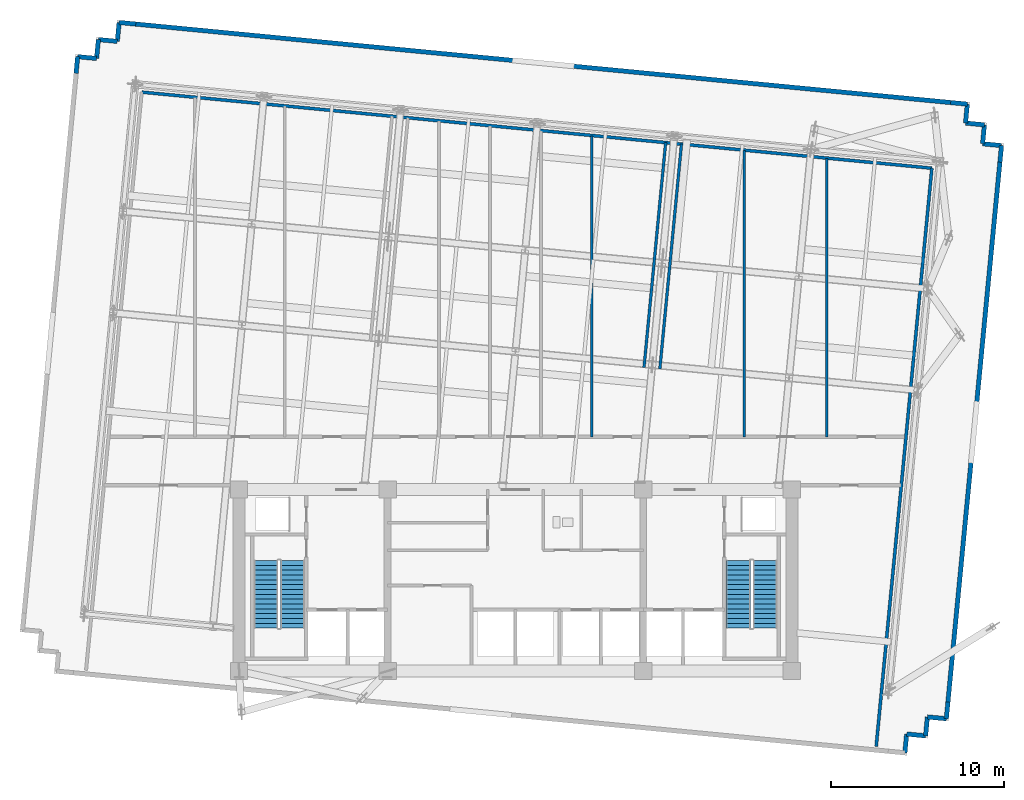
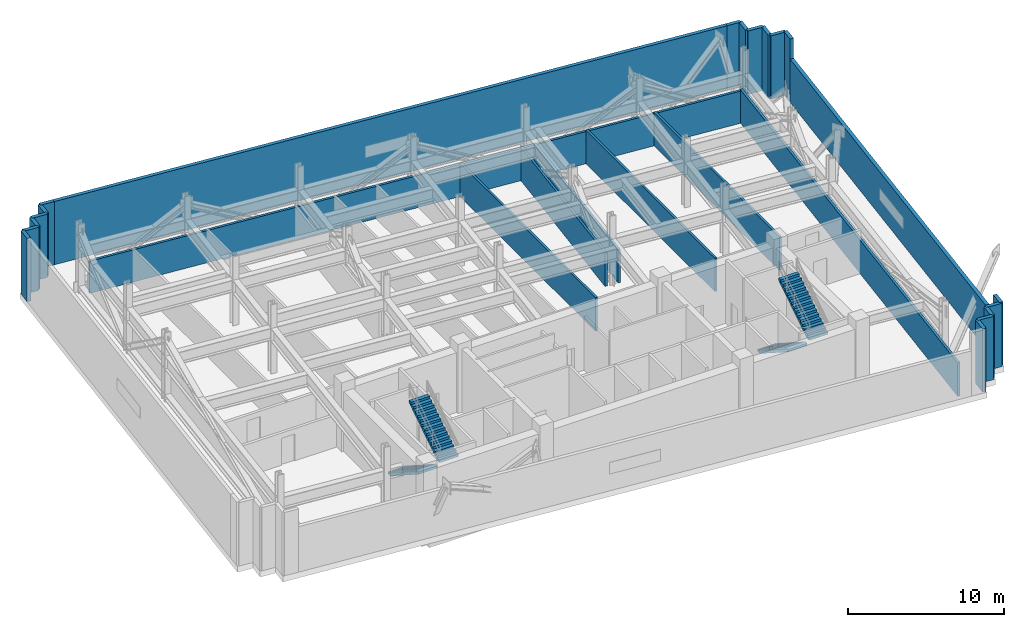
# One storey, part 7 of 10: 26 walls, 4 stair flights, 2 elements without a shape of their own.
"""IFC4 building model written with IfcOpenShell, lengths in metres."""

from ifc_helpers import new_model, si_unit, direction, frame, frame_2d, origin, place, context, subcontext, project, spatial, polyline, rectangle, outline, extrude, material, layer, layer_set, type_object, element, aggregate, save


model = new_model("IFC4")

# Units and contexts
model_context = context("Model", 3, precision=1e-05, world=origin(), true_north=direction((0.0, 1.0)))
body_context = subcontext(model_context, "Body", "Model", "MODEL_VIEW")
ifc_project = project(units=[si_unit("LENGTHUNIT", "METRE"), si_unit("AREAUNIT", "SQUARE_METRE"), si_unit("VOLUMEUNIT", "CUBIC_METRE"), si_unit("PLANEANGLEUNIT", "RADIAN"), si_unit("MASSUNIT", "GRAM", prefix="KILO")], contexts=[model_context])

# Site, building, storey
site_placement = place(None, origin())
site = spatial("IfcSite", under=ifc_project, at=site_placement, CompositionType="ELEMENT")
building_placement = place(site_placement, origin())
building = spatial("IfcBuilding", under=site, at=building_placement, Name="Solmavex Isthmus Hotel", CompositionType="ELEMENT")
storey_placement = place(building_placement, frame((0.0, 0.0, 186.300048828125)))
storey = spatial("IfcBuildingStorey", under=building, at=storey_placement, Name="L50", CompositionType="ELEMENT", Elevation=186.300048828125)

# Walls
ifc_material_1 = material(Name="Precast Concrete C40/50", Category="concrete")
ifc_layer_1 = layer(ifc_material_1, 0.260009765625)
ifc_layer_set_1 = layer_set([ifc_layer_1], Name="Precast Concrete C40/50")
wall_type_1 = type_object("IfcWallType", Name="EW-CRN-260", PredefinedType="STANDARD", material=ifc_layer_set_1)
wall_1_placement = place(storey_placement, frame((-25.44140625, 21.60302734375, 0.0), z_axis=(0.0, 0.0, 1.0), x_axis=(0.095640469916, 0.99541594347, 0.0)))
element("IfcWall", 1, at=wall_1_placement, inside=storey, type_object=wall_type_1, Name="Plant Acoustic Louvre Enclosure Wall L50-08", PredefinedType="STANDARD", context=body_context, shape_type="SweptSolid", body=[
    extrude(rectangle(XDim=0.969970703125, YDim=0.260009765625, at=frame_2d((0.48486328125, 0.0))), origin(), (0.0, 0.0, 1.0), 4.949951171875),
])
for number, where, z_axis, x_axis, name in (
    (2, (-25.3486328125, 22.568603515625, 0.0), (0.0, 0.0, 1.0), (0.995393156894, -0.095877334176, 0.0), "Plant Acoustic Louvre Enclosure Wall L50-09"),
    (3, (-24.253662109375, 22.463134765625, 0.0), (0.0, 0.0, 1.0), (0.095877334176, 0.995393156894, 0.0), "Plant Acoustic Louvre Enclosure Wall L50-10"),
    (4, (-24.148193359375, 23.55810546875, 0.0), (0.0, 0.0, 1.0), (0.995393156894, -0.095877334176, 0.0), "Plant Acoustic Louvre Enclosure Wall L50-11"),
    (5, (-23.05322265625, 23.45263671875, 0.0), (0.0, 0.0, 1.0), (0.095877334176, 0.995393156894, 0.0), "Plant Acoustic Louvre Enclosure Wall L50-12"),
):
    element("IfcWall", number, at=place(storey_placement, frame(where, z_axis=z_axis, x_axis=x_axis)), inside=storey, type_object=wall_type_1, Name=name, PredefinedType="STANDARD", context=body_context, shape_type="SweptSolid", body=[
        extrude(rectangle(XDim=1.10009765625, YDim=0.260009765625, at=frame_2d((0.550048828125, 0.0))), origin(), (0.0, 0.0, 1.0), 4.949951171875),
    ])
wall_2_placement = place(storey_placement, frame((-22.94775390625, 24.547607421875, 0.0), z_axis=(0.0, 0.0, 1.0), x_axis=(0.99539195184, -0.09588984416, 0.0)))
element("IfcWall", 6, at=wall_2_placement, inside=storey, type_object=wall_type_1, Name="Plant Acoustic Louvre Enclosure Wall L50-13", PredefinedType="STANDARD", context=body_context, shape_type="SweptSolid", body=[
    extrude(rectangle(XDim=0.969970703125, YDim=0.260009765625, at=frame_2d((0.48486328125, 0.0))), origin(), (0.0, 0.0, 1.0), 4.949951171875),
])
wall_3_placement = place(storey_placement, frame((-21.982177734375, 24.45458984375, 0.0), z_axis=(0.0, 0.0, 1.0), x_axis=(0.99539641276, -0.095843525938, 0.0)))
element("IfcWall", 7, at=wall_3_placement, inside=storey, type_object=wall_type_1, Name="Plant Acoustic Louvre Enclosure Wall L50-14", PredefinedType="STANDARD", context=body_context, shape_type="SweptSolid", body=[
    extrude(rectangle(XDim=47.39990234375, YDim=0.260009765625, at=frame_2d((23.699951171875, 0.0))), origin(), (0.0, 0.0, 1.0), 4.949951171875),
])
wall_4_placement = place(storey_placement, frame((25.199462890625, 19.91162109375, 0.0), z_axis=(0.0, 0.0, 1.0), x_axis=(0.99539195184, -0.09588984416, 0.0)))
element("IfcWall", 8, at=wall_4_placement, inside=storey, type_object=wall_type_1, Name="Plant Acoustic Louvre Enclosure Wall L50-15", PredefinedType="STANDARD", context=body_context, shape_type="SweptSolid", body=[
    extrude(rectangle(XDim=0.969970703125, YDim=0.260009765625, at=frame_2d((0.48486328125, 0.0))), origin(), (0.0, 0.0, 1.0), 4.949951171875),
])
for number, where, z_axis, x_axis, name in (
    (9, (26.1650390625, 19.818603515625, 0.0), (0.0, 0.0, 1.0), (-0.095877334176, -0.995393156894, 0.0), "Plant Acoustic Louvre Enclosure Wall L50-16"),
    (10, (26.0595703125, 18.7236328125, 0.0), (0.0, 0.0, 1.0), (0.995393156894, -0.095877334176, 0.0), "Plant Acoustic Louvre Enclosure Wall L50-17"),
    (11, (27.154541015625, 18.6181640625, 0.0), (0.0, 0.0, 1.0), (-0.095877334176, -0.995393156894, 0.0), "Plant Acoustic Louvre Enclosure Wall L50-18"),
    (12, (27.049072265625, 17.523193359375, 0.0), (0.0, 0.0, 1.0), (0.995414313875, -0.095657429048, 0.0), "Plant Acoustic Louvre Enclosure Wall L50-19"),
):
    element("IfcWall", number, at=place(storey_placement, frame(where, z_axis=z_axis, x_axis=x_axis)), inside=storey, type_object=wall_type_1, Name=name, PredefinedType="STANDARD", context=body_context, shape_type="SweptSolid", body=[
        extrude(rectangle(XDim=1.10009765625, YDim=0.260009765625, at=frame_2d((0.550048828125, 0.0))), origin(), (0.0, 0.0, 1.0), 4.949951171875),
    ])
wall_5_placement = place(storey_placement, frame((28.14404296875, 17.41796875, 0.0), z_axis=(0.0, 0.0, 1.0), x_axis=(-0.09588984416, -0.99539195184, 0.0)))
element("IfcWall", 13, at=wall_5_placement, inside=storey, type_object=wall_type_1, Name="Plant Acoustic Louvre Enclosure Wall L50-20", PredefinedType="STANDARD", context=body_context, shape_type="SweptSolid", body=[
    extrude(rectangle(XDim=0.969970703125, YDim=0.260009765625, at=frame_2d((0.48486328125, 0.0))), origin(), (0.0, 0.0, 1.0), 4.949951171875),
])
wall_6_placement = place(storey_placement, frame((28.051025390625, 16.452392578125, 0.0), z_axis=(0.0, 0.0, 1.0), x_axis=(-0.095844854813, -0.995396284806, 0.0)))
element("IfcWall", 14, at=wall_6_placement, inside=storey, type_object=wall_type_1, Name="Plant Acoustic Louvre Enclosure Wall L50-21", PredefinedType="STANDARD", context=body_context, shape_type="SweptSolid", body=[
    extrude(rectangle(XDim=31.39990234375, YDim=0.260009765625, at=frame_2d((15.699951171875, 0.0))), origin(), (0.0, 0.0, 1.0), 3.385009765625),
])
wall_7_placement = place(storey_placement, frame((25.04150390625, -14.802978515625, 0.0), z_axis=(0.0, 0.0, 1.0), x_axis=(-0.09588984416, -0.99539195184, 0.0)))
element("IfcWall", 15, at=wall_7_placement, inside=storey, type_object=wall_type_1, Name="Plant Acoustic Louvre Enclosure Wall L50-22", PredefinedType="STANDARD", context=body_context, shape_type="SweptSolid", body=[
    extrude(rectangle(XDim=0.969970703125, YDim=0.260009765625, at=frame_2d((0.48486328125, 0.0))), origin(), (0.0, 0.0, 1.0), 4.949951171875),
])
for number, where, z_axis, x_axis, name in (
    (16, (24.948486328125, -15.7685546875, 0.0), (0.0, 0.0, 1.0), (-0.995393156894, 0.095877334176, 0.0), "Plant Acoustic Louvre Enclosure Wall L50-23"),
    (17, (23.853515625, -15.6630859375, 0.0), (0.0, 0.0, 1.0), (-0.095657429048, -0.995414313875, 0.0), "Plant Acoustic Louvre Enclosure Wall L50-24"),
    (18, (23.748291015625, -16.758056640625, 0.0), (0.0, 0.0, 1.0), (-0.995414313875, 0.095657429048, 0.0), "Plant Acoustic Louvre Enclosure Wall L50-25"),
):
    element("IfcWall", number, at=place(storey_placement, frame(where, z_axis=z_axis, x_axis=x_axis)), inside=storey, type_object=wall_type_1, Name=name, PredefinedType="STANDARD", context=body_context, shape_type="SweptSolid", body=[
        extrude(rectangle(XDim=1.10009765625, YDim=0.260009765625, at=frame_2d((0.550048828125, 0.0))), origin(), (0.0, 0.0, 1.0), 4.949951171875),
    ])
wall_8_placement = place(storey_placement, frame((22.6533203125, -16.65283203125, 0.0), z_axis=(0.0, 0.0, 1.0), x_axis=(-0.095898519656, -0.995391116058, 0.0)))
element("IfcWall", 19, at=wall_8_placement, inside=storey, type_object=wall_type_1, Name="Plant Acoustic Louvre Enclosure Wall L50-26", PredefinedType="STANDARD", context=body_context, shape_type="SweptSolid", body=[
    extrude(rectangle(XDim=1.099853515625, YDim=0.260009765625, at=frame_2d((0.5498046875, 0.0))), origin(), (0.0, 0.0, 1.0), 4.949951171875),
])
ifc_material_2 = material(Name="Gypsum plasterboard lining", Category="gypsum")
ifc_layer_2 = layer(ifc_material_2, 0.159912109375)
ifc_layer_set_2 = layer_set([ifc_layer_2], Name="Gypsum plasterboard lining")
wall_type_2 = type_object("IfcWallType", Name="IW-COMP-160", PredefinedType="PARTITIONING", material=ifc_layer_set_2)
for number, where, z_axis, x_axis, name in (
    (20, (7.443603515625, 4.57275390625, 0.0), (0.0, 0.0, 1.0), (0.095845777462, 0.995396195966, 0.0), "Interior Partition Wall W-L50-OTEL"),
    (21, (8.359375, 4.484619140625, 0.0), (0.0, 0.0, 1.0), (0.095845777462, 0.995396195966, 0.0), "Interior Partition Wall W-L50-OTER"),
):
    element("IfcWall", number, at=place(storey_placement, frame(where, z_axis=z_axis, x_axis=x_axis)), inside=storey, type_object=wall_type_2, Name=name, PredefinedType="PARTITIONING", context=body_context, shape_type="SweptSolid", body=[
        extrude(rectangle(XDim=13.080078125, YDim=0.159912109375, at=frame_2d((6.5400390625, 0.0))), origin(), (0.0, 0.0, 1.0), 2.615966796875),
    ])
wall_9_placement = place(storey_placement, frame((4.419921875, 0.550048828125, 0.0), z_axis=(0.0, 0.0, 1.0), x_axis=(0.0, 1.0, 0.0)))
element("IfcWall", 22, at=wall_9_placement, inside=storey, type_object=wall_type_2, Name="Interior Partition Wall W-L50-PX7", PredefinedType="PARTITIONING", context=body_context, shape_type="SweptSolid", body=[
    extrude(rectangle(XDim=17.434326171875, YDim=0.159912109375, at=frame_2d((8.71728515625, 0.0))), origin(), (0.0, 0.0, 1.0), 2.615966796875),
])
wall_10_placement = place(storey_placement, frame((13.25, 0.550048828125, 0.0), z_axis=(0.0, 0.0, 1.0), x_axis=(0.0, 1.0, 0.0)))
element("IfcWall", 23, at=wall_10_placement, inside=storey, type_object=wall_type_2, Name="Interior Partition Wall W-L50-PX9", PredefinedType="PARTITIONING", context=body_context, shape_type="SweptSolid", body=[
    extrude(rectangle(XDim=16.583984375, YDim=0.159912109375, at=frame_2d((8.2919921875, 0.0))), origin(), (0.0, 0.0, 1.0), 2.615966796875),
])
wall_11_placement = place(storey_placement, frame((18.030029296875, 0.550048828125, 0.0), z_axis=(0.0, 0.0, 1.0), x_axis=(0.0, 1.0, 0.0)))
element("IfcWall", 24, at=wall_11_placement, inside=storey, type_object=wall_type_2, Name="Interior Partition Wall W-L50-PX10", PredefinedType="PARTITIONING", context=body_context, shape_type="SweptSolid", body=[
    extrude(rectangle(XDim=16.123779296875, YDim=0.159912109375, at=frame_2d((8.06201171875, 0.0))), origin(), (0.0, 0.0, 1.0), 2.615966796875),
])
ifc_material_3 = material(Name="Concrete C40/50", Category="concrete")
ifc_layer_3 = layer(ifc_material_3, 0.179931640625)
ifc_layer_set_3 = layer_set([ifc_layer_3], Name="Concrete C40/50")
wall_type_3 = type_object("IfcWallType", Name="IW-SHAFT-180", PredefinedType="PARTITIONING", material=ifc_layer_set_3)
wall_12_placement = place(storey_placement, frame((-21.638427734375, 20.513671875, 0.0), z_axis=(0.0, 0.0, 1.0), x_axis=(0.99539575405, -0.095850366817, 0.0)))
element("IfcWall", 25, at=wall_12_placement, inside=storey, type_object=wall_type_3, Name="Interior Partition Wall W-L50-BTN", PredefinedType="PARTITIONING", context=body_context, shape_type="SweptSolid", body=[
    extrude(rectangle(XDim=45.9599609375, YDim=0.179931640625, at=frame_2d((22.97998046875, 0.0))), origin(), (0.0, 0.0, 1.0), 2.5185546875),
])
wall_13_placement = place(storey_placement, frame((20.88671875, -17.36669921875, 0.0), z_axis=(0.0, 0.0, 1.0), x_axis=(0.095841605398, 0.995396597681, 0.0)))
element("IfcWall", 26, at=wall_13_placement, inside=storey, type_object=wall_type_3, Name="Interior Partition Wall W-L50-BTE", PredefinedType="PARTITIONING", context=body_context, shape_type="SweptSolid", body=[
    extrude(rectangle(XDim=33.6298828125, YDim=0.179931640625, at=frame_2d((16.81494140625, 0.0))), origin(), (0.0, 0.0, 1.0), 2.615966796875),
])

# Stair, stair flights
stair_type_1 = type_object("IfcStairType", Name="STR-ST-1", PredefinedType="HALF_TURN_STAIR", material=ifc_material_3)
stair_1_placement = place(storey_placement, origin())
stair_1 = element("IfcStair", 27, at=stair_1_placement, inside=storey, type_object=stair_type_1, Name="L50 Protected Exit Stair ST-1", PredefinedType="HALF_TURN_STAIR")
stair_flight_type_1 = type_object("IfcStairFlightType", Name="SFL-ST-1", PredefinedType="STRAIGHT", material=ifc_material_3)
stair_flight_1_placement = place(storey_placement, frame((-14.449951171875, -6.60009765625, 0.0), z_axis=(0.0, 0.0, 1.0), x_axis=(0.0, -1.0, 0.0)))
stair_flight_1 = element("IfcStairFlight", 28, at=stair_flight_1_placement, type_object=stair_flight_type_1, Name="ST-1 flight 1", NumberOfRisers=15, NumberOfTreads=14, PredefinedType="STRAIGHT", RiserHeight=0.18, TreadLength=0.28, context=body_context, shape_type="SweptSolid", body=[
    extrude(outline(polyline([(0.0, 0.0), (0.0, 0.179931640625), (0.280029296875, 0.179931640625), (0.280029296875, 0.360107421875), (0.56005859375, 0.360107421875), (0.56005859375, 0.5400390625), (0.840087890625, 0.5400390625), (0.840087890625, 0.719970703125), (1.1201171875, 0.719970703125), (1.1201171875, 0.89990234375), (1.39990234375, 0.89990234375), (1.39990234375, 1.080078125), (1.679931640625, 1.080078125), (1.679931640625, 1.260009765625), (1.9599609375, 1.260009765625), (1.9599609375, 1.43994140625), (2.239990234375, 1.43994140625), (2.239990234375, 1.6201171875), (2.52001953125, 1.6201171875), (2.52001953125, 1.800048828125), (2.800048828125, 1.800048828125), (2.800048828125, 1.97998046875), (3.080078125, 1.97998046875), (3.080078125, 2.159912109375), (3.360107421875, 2.159912109375), (3.360107421875, 2.340087890625), (3.639892578125, 2.340087890625), (3.639892578125, 2.52001953125), (3.919921875, 2.52001953125), (3.919921875, 2.699951171875), (3.919921875, 2.341796875), (0.277099609375, 0.0), (0.0, 0.0)])), frame((0.0, 0.699951171875, 0.0), z_axis=(0.0, -1.0, 0.0), x_axis=(1.0, 0.0, 0.0)), (0.0, 0.0, 1.0), 1.39990234375),
])
stair_flight_2_placement = place(storey_placement, frame((-12.89990234375, -10.52001953125, 2.699951171875), z_axis=(0.0, 0.0, 1.0), x_axis=(0.0, 1.0, 0.0)))
stair_flight_2 = element("IfcStairFlight", 29, at=stair_flight_2_placement, type_object=stair_flight_type_1, Name="ST-1 flight 2", NumberOfRisers=15, NumberOfTreads=14, PredefinedType="STRAIGHT", RiserHeight=0.18, TreadLength=0.28, context=body_context, shape_type="SweptSolid", body=[
    extrude(outline(polyline([(0.0, 0.0), (0.0, 0.179931640625), (0.280029296875, 0.179931640625), (0.280029296875, 0.360107421875), (0.56005859375, 0.360107421875), (0.56005859375, 0.5400390625), (0.840087890625, 0.5400390625), (0.840087890625, 0.719970703125), (1.1201171875, 0.719970703125), (1.1201171875, 0.89990234375), (1.39990234375, 0.89990234375), (1.39990234375, 1.080078125), (1.679931640625, 1.080078125), (1.679931640625, 1.260009765625), (1.9599609375, 1.260009765625), (1.9599609375, 1.43994140625), (2.239990234375, 1.43994140625), (2.239990234375, 1.6201171875), (2.52001953125, 1.6201171875), (2.52001953125, 1.800048828125), (2.800048828125, 1.800048828125), (2.800048828125, 1.97998046875), (3.080078125, 1.97998046875), (3.080078125, 2.159912109375), (3.360107421875, 2.159912109375), (3.360107421875, 2.340087890625), (3.639892578125, 2.340087890625), (3.639892578125, 2.52001953125), (3.919921875, 2.52001953125), (3.919921875, 2.699951171875), (3.919921875, 2.341796875), (0.277099609375, 0.0), (0.0, 0.0)])), frame((0.0, 0.699951171875, 0.0), z_axis=(0.0, -1.0, 0.0), x_axis=(1.0, 0.0, 0.0)), (0.0, 0.0, 1.0), 1.39990234375),
])
aggregate(stair_1, [stair_flight_1, stair_flight_2])

stair_type_2 = type_object("IfcStairType", Name="STR-ST-2", PredefinedType="HALF_TURN_STAIR", material=ifc_material_3)
stair_2_placement = place(storey_placement, origin())
stair_2 = element("IfcStair", 30, at=stair_2_placement, inside=storey, type_object=stair_type_2, Name="L50 Protected Exit Stair ST-2", PredefinedType="HALF_TURN_STAIR")
stair_flight_type_2 = type_object("IfcStairFlightType", Name="SFL-ST-2", PredefinedType="STRAIGHT", material=ifc_material_3)
stair_flight_3_placement = place(storey_placement, frame((12.89990234375, -6.60009765625, 0.0), z_axis=(0.0, 0.0, 1.0), x_axis=(0.0, -1.0, 0.0)))
stair_flight_3 = element("IfcStairFlight", 31, at=stair_flight_3_placement, type_object=stair_flight_type_2, Name="ST-2 flight 1", NumberOfRisers=15, NumberOfTreads=14, PredefinedType="STRAIGHT", RiserHeight=0.18, TreadLength=0.28, context=body_context, shape_type="SweptSolid", body=[
    extrude(outline(polyline([(0.0, 0.0), (0.0, 0.179931640625), (0.280029296875, 0.179931640625), (0.280029296875, 0.360107421875), (0.56005859375, 0.360107421875), (0.56005859375, 0.5400390625), (0.840087890625, 0.5400390625), (0.840087890625, 0.719970703125), (1.1201171875, 0.719970703125), (1.1201171875, 0.89990234375), (1.39990234375, 0.89990234375), (1.39990234375, 1.080078125), (1.679931640625, 1.080078125), (1.679931640625, 1.260009765625), (1.9599609375, 1.260009765625), (1.9599609375, 1.43994140625), (2.239990234375, 1.43994140625), (2.239990234375, 1.6201171875), (2.52001953125, 1.6201171875), (2.52001953125, 1.800048828125), (2.800048828125, 1.800048828125), (2.800048828125, 1.97998046875), (3.080078125, 1.97998046875), (3.080078125, 2.159912109375), (3.360107421875, 2.159912109375), (3.360107421875, 2.340087890625), (3.639892578125, 2.340087890625), (3.639892578125, 2.52001953125), (3.919921875, 2.52001953125), (3.919921875, 2.699951171875), (3.919921875, 2.341796875), (0.277099609375, 0.0), (0.0, 0.0)])), frame((0.0, 0.699951171875, 0.0), z_axis=(0.0, -1.0, 0.0), x_axis=(1.0, 0.0, 0.0)), (0.0, 0.0, 1.0), 1.39990234375),
])
stair_flight_4_placement = place(storey_placement, frame((14.449951171875, -10.52001953125, 2.699951171875), z_axis=(0.0, 0.0, 1.0), x_axis=(0.0, 1.0, 0.0)))
stair_flight_4 = element("IfcStairFlight", 32, at=stair_flight_4_placement, type_object=stair_flight_type_2, Name="ST-2 flight 2", NumberOfRisers=15, NumberOfTreads=14, PredefinedType="STRAIGHT", RiserHeight=0.18, TreadLength=0.28, context=body_context, shape_type="SweptSolid", body=[
    extrude(outline(polyline([(0.0, 0.0), (0.0, 0.179931640625), (0.280029296875, 0.179931640625), (0.280029296875, 0.360107421875), (0.56005859375, 0.360107421875), (0.56005859375, 0.5400390625), (0.840087890625, 0.5400390625), (0.840087890625, 0.719970703125), (1.1201171875, 0.719970703125), (1.1201171875, 0.89990234375), (1.39990234375, 0.89990234375), (1.39990234375, 1.080078125), (1.679931640625, 1.080078125), (1.679931640625, 1.260009765625), (1.9599609375, 1.260009765625), (1.9599609375, 1.43994140625), (2.239990234375, 1.43994140625), (2.239990234375, 1.6201171875), (2.52001953125, 1.6201171875), (2.52001953125, 1.800048828125), (2.800048828125, 1.800048828125), (2.800048828125, 1.97998046875), (3.080078125, 1.97998046875), (3.080078125, 2.159912109375), (3.360107421875, 2.159912109375), (3.360107421875, 2.340087890625), (3.639892578125, 2.340087890625), (3.639892578125, 2.52001953125), (3.919921875, 2.52001953125), (3.919921875, 2.699951171875), (3.919921875, 2.341796875), (0.277099609375, 0.0), (0.0, 0.0)])), frame((0.0, 0.699951171875, 0.0), z_axis=(0.0, -1.0, 0.0), x_axis=(1.0, 0.0, 0.0)), (0.0, 0.0, 1.0), 1.39990234375),
])
aggregate(stair_2, [stair_flight_3, stair_flight_4])

save(model, "model.ifc")
